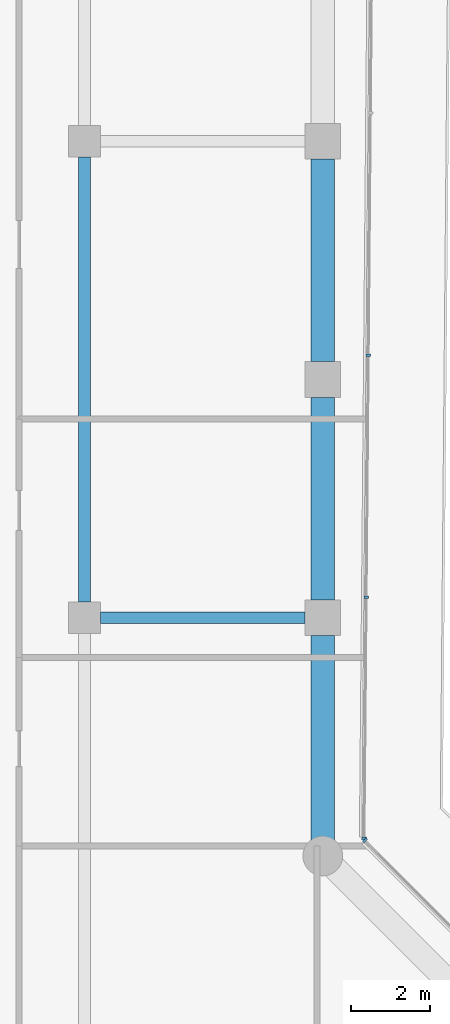
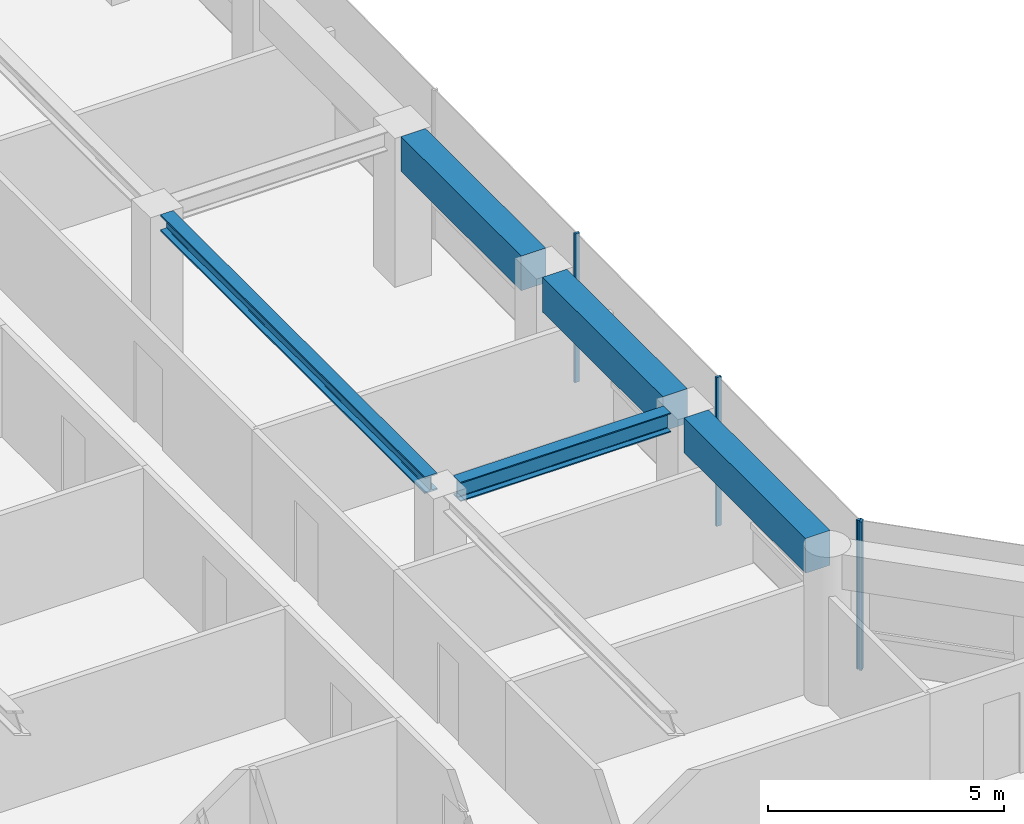
# One storey, part 11 of 23: 5 beams, 4 members, 2 elements without a shape of their own.
"""IFC4 building model written with IfcOpenShell, lengths in metres."""

from ifc_helpers import new_model, si_unit, direction, frame, origin, origin_2d, place, context, subcontext, project, spatial, rectangle, i_section, extrude, material, layer, layer_set, material_profile, profile_set, type_object, element, aggregate, save


model = new_model("IFC4")

# Units and contexts
model_context = context("Model", 3, precision=1e-05, world=origin(), true_north=direction((0.0, 1.0)))
body_context = subcontext(model_context, "Body", "Model", "MODEL_VIEW")
ifc_project = project(units=[si_unit("LENGTHUNIT", "METRE"), si_unit("AREAUNIT", "SQUARE_METRE"), si_unit("VOLUMEUNIT", "CUBIC_METRE"), si_unit("PLANEANGLEUNIT", "RADIAN"), si_unit("MASSUNIT", "GRAM", prefix="KILO")], contexts=[model_context])

# Site, building, storey
site_placement = place(None, origin())
site = spatial("IfcSite", under=ifc_project, at=site_placement, CompositionType="ELEMENT")
building_placement = place(site_placement, origin())
building = spatial("IfcBuilding", under=site, at=building_placement, Name="Welwitschia Terrace Campus", CompositionType="ELEMENT")
storey_placement = place(building_placement, frame((0.0, 0.0, 113.0)))
storey = spatial("IfcBuildingStorey", under=building, at=storey_placement, Name="L25", CompositionType="ELEMENT", Elevation=113.0)

# Beam
ifc_material_1 = material(Name="Steel S355", Category="steel")
ifc_material_profile_1 = material_profile(ifc_material_1, i_section(OverallWidth=0.306884765625, OverallDepth=0.431884765625, WebThickness=0.02099609375, FlangeThickness=0.0400390625, FilletRadius=0.027099609375, at=origin_2d()))
ifc_profile_set_1 = profile_set([ifc_material_profile_1], Name="Steel S355")
beam_type_1 = type_object("IfcBeamType", Name="Interior girder HE 400 M", PredefinedType="BEAM", material=ifc_profile_set_1)
beam_1_placement = place(storey_placement, frame((18.0, 40.400390625, 3.634033203125), z_axis=(0.0, 1.0, 0.0), x_axis=(-1.0, 0.0, 0.0)))
element("IfcBeam", 1, at=beam_1_placement, inside=storey, type_object=beam_type_1, Name="Girder GB3", PredefinedType="BEAM", context=body_context, shape_type="SweptSolid", body=[
    extrude(i_section(OverallWidth=0.306884765625, OverallDepth=0.431884765625, WebThickness=0.02099609375, FlangeThickness=0.0400390625, FilletRadius=0.027099609375, at=origin_2d()), origin(), (0.0, 0.0, 1.0), 11.19921875),
])

# Curtain wall, member
ifc_material_2 = material(Name="Bronze anodised aluminium", Category="aluminium")
ifc_layer = layer(ifc_material_2, 0.1201171875)
ifc_layer_set = layer_set([ifc_layer], Name="Bronze anodised aluminium")
curtain_wall_type = type_object("IfcCurtainWallType", Name="Curtain wall CW2 tower 6000", PredefinedType="NOTDEFINED", material=ifc_layer_set)
curtain_wall_1_placement = place(storey_placement, origin())
curtain_wall_1 = element("IfcCurtainWall", 2, at=curtain_wall_1_placement, inside=storey, type_object=curtain_wall_type, Name="CW L25.10.0", PredefinedType="NOTDEFINED")
ifc_material_3 = material(Name="Bronze anodised aluminium", Category="aluminium")
ifc_material_profile_2 = material_profile(ifc_material_3, rectangle(XDim=0.1201171875, YDim=0.06005859375, at=origin_2d()))
ifc_profile_set_2 = profile_set([ifc_material_profile_2], Name="Bronze anodised aluminium")
member_type = type_object("IfcMemberType", Name="Mullion 60x120", PredefinedType="MULLION", material=ifc_profile_set_2)
member_1_placement = place(storey_placement, frame((25.06201171875, 34.39453125, 0.0), z_axis=(0.0, 0.0, 1.0), x_axis=(-0.707106781187, -0.707106781187, 0.0)))
member_1 = element("IfcMember", 3, at=member_1_placement, type_object=member_type, Name="Mullion L25.10.0.1", PredefinedType="MULLION", context=body_context, shape_type="SweptSolid", body=[
    extrude(rectangle(XDim=0.1201171875, YDim=0.06005859375, at=origin_2d()), origin(), (0.0, 0.0, 1.0), 3.85009765625),
])
aggregate(curtain_wall_1, [member_1])

# Curtain wall, members
curtain_wall_2_placement = place(storey_placement, origin())
curtain_wall_2 = element("IfcCurtainWall", 4, at=curtain_wall_2_placement, inside=storey, type_object=curtain_wall_type, Name="CW L25.11.0", PredefinedType="NOTDEFINED")
member_2_placement = place(storey_placement, frame((25.041015625, 34.44580078125, 0.0), z_axis=(0.0, 0.0, 1.0), x_axis=(-0.999961923064, 0.008726535498, 0.0)))
member_2 = element("IfcMember", 5, at=member_2_placement, type_object=member_type, Name="Mullion L25.11.0.0", PredefinedType="MULLION", context=body_context, shape_type="SweptSolid", body=[
    extrude(rectangle(XDim=0.1201171875, YDim=0.06005859375, at=origin_2d()), origin(), (0.0, 0.0, 1.0), 3.85009765625),
])
member_3_placement = place(storey_placement, frame((25.093994140625, 40.514404296875, 0.0), z_axis=(0.0, 0.0, 1.0), x_axis=(-0.999961923064, 0.008726535498, 0.0)))
member_3 = element("IfcMember", 6, at=member_3_placement, type_object=member_type, Name="Mullion L25.11.0.1", PredefinedType="MULLION", context=body_context, shape_type="SweptSolid", body=[
    extrude(rectangle(XDim=0.1201171875, YDim=0.06005859375, at=origin_2d()), origin(), (0.0, 0.0, 1.0), 3.85009765625),
])
member_4_placement = place(storey_placement, frame((25.147216796875, 46.61328125, 0.0), z_axis=(0.0, 0.0, 1.0), x_axis=(-0.999961923064, 0.008726535498, 0.0)))
member_4 = element("IfcMember", 7, at=member_4_placement, type_object=member_type, Name="Mullion L25.11.0.2", PredefinedType="MULLION", context=body_context, shape_type="SweptSolid", body=[
    extrude(rectangle(XDim=0.1201171875, YDim=0.06005859375, at=origin_2d()), origin(), (0.0, 0.0, 1.0), 3.85009765625),
])
aggregate(curtain_wall_2, [member_2, member_3, member_4])

# Beams
ifc_material_4 = material(Name="Steel S355", Category="steel")
ifc_material_profile_3 = material_profile(ifc_material_4, i_section(OverallWidth=0.300048828125, OverallDepth=0.5, WebThickness=0.014404296875, FlangeThickness=0.028076171875, FilletRadius=0.027099609375, at=origin_2d()))
ifc_profile_set_3 = profile_set([ifc_material_profile_3], Name="Steel S355")
beam_type_2 = type_object("IfcBeamType", Name="Primary beam HE 500 B", PredefinedType="BEAM", material=ifc_profile_set_3)
beam_2_placement = place(storey_placement, frame((23.549560546875, 40.0, 3.60009765625), z_axis=(-1.0, 0.0, 0.0), x_axis=(0.0, -1.0, 0.0)))
element("IfcBeam", 8, at=beam_2_placement, inside=storey, type_object=beam_type_2, Name="Primary beam PB3", PredefinedType="BEAM", context=body_context, shape_type="SweptSolid", body=[
    extrude(i_section(OverallWidth=0.300048828125, OverallDepth=0.5, WebThickness=0.014404296875, FlangeThickness=0.028076171875, FilletRadius=0.027099609375, at=origin_2d()), origin(), (0.0, 0.0, 1.0), 5.149169921875),
])
ifc_material_5 = material(Name="Concrete C60/75", Category="concrete")
ifc_material_profile_4 = material_profile(ifc_material_5, rectangle(XDim=0.60009765625, YDim=0.89990234375, at=origin_2d()))
ifc_profile_set_4 = profile_set([ifc_material_profile_4], Name="Concrete C60/75")
beam_type_3 = type_object("IfcBeamType", Name="Ring spandrel 600x900", PredefinedType="SPANDREL", material=ifc_profile_set_4)
beam_3_placement = place(storey_placement, frame((24.0, 34.400390625, 3.39990234375), z_axis=(0.0, 1.0, 0.0), x_axis=(-1.0, 0.0, 0.0)))
element("IfcBeam", 9, at=beam_3_placement, inside=storey, type_object=beam_type_3, Name="Spandrel SP2", PredefinedType="SPANDREL", context=body_context, shape_type="SweptSolid", body=[
    extrude(rectangle(XDim=0.60009765625, YDim=0.89990234375, at=origin_2d()), origin(), (0.0, 0.0, 1.0), 5.149169921875),
])
for number, where, z_axis, x_axis, name in (
    (10, (24.0, 40.450439453125, 3.39990234375), (0.0, 1.0, 0.0), (-1.0, 0.0, 0.0), "Spandrel SP2"),
    (11, (24.0, 46.450439453125, 3.39990234375), (0.0, 1.0, 0.0), (-1.0, 0.0, 0.0), "Spandrel SP2"),
):
    element("IfcBeam", number, at=place(storey_placement, frame(where, z_axis=z_axis, x_axis=x_axis)), inside=storey, type_object=beam_type_3, Name=name, PredefinedType="SPANDREL", context=body_context, shape_type="SweptSolid", body=[
        extrude(rectangle(XDim=0.60009765625, YDim=0.89990234375, at=origin_2d()), origin(), (0.0, 0.0, 1.0), 5.09912109375),
    ])

save(model, "model.ifc")
